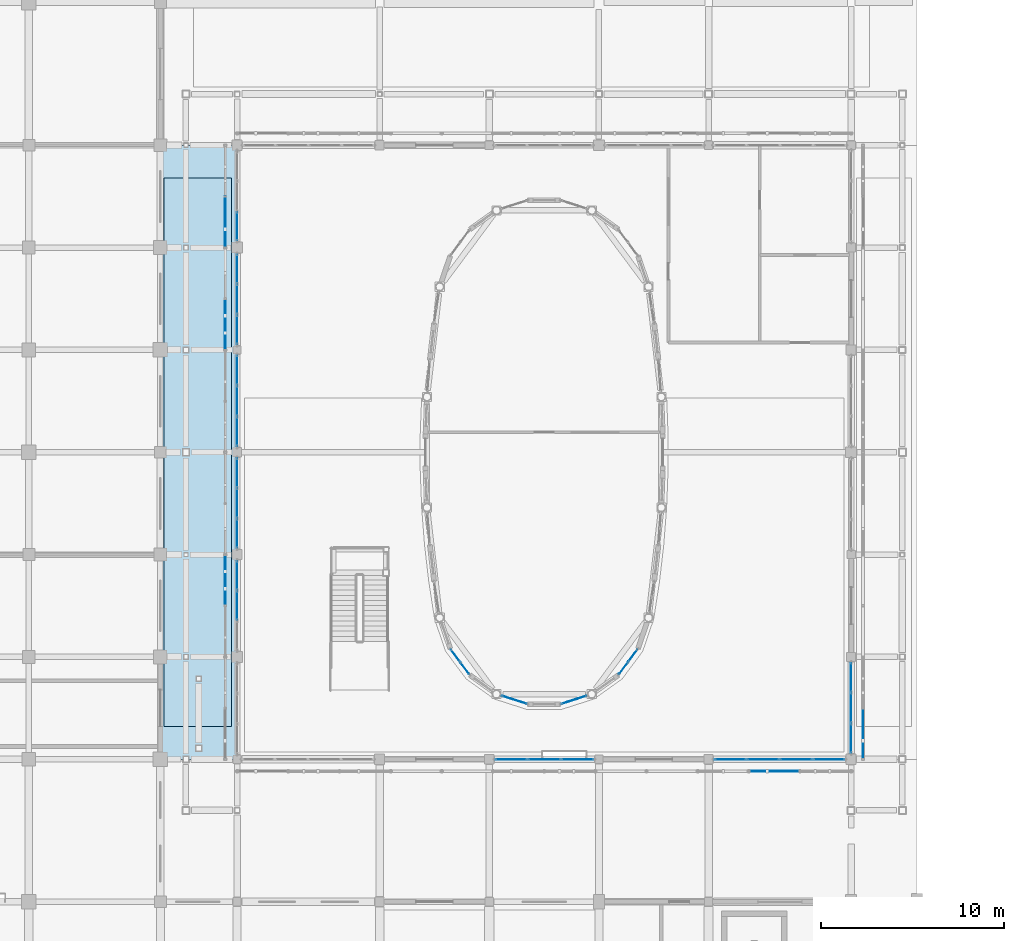
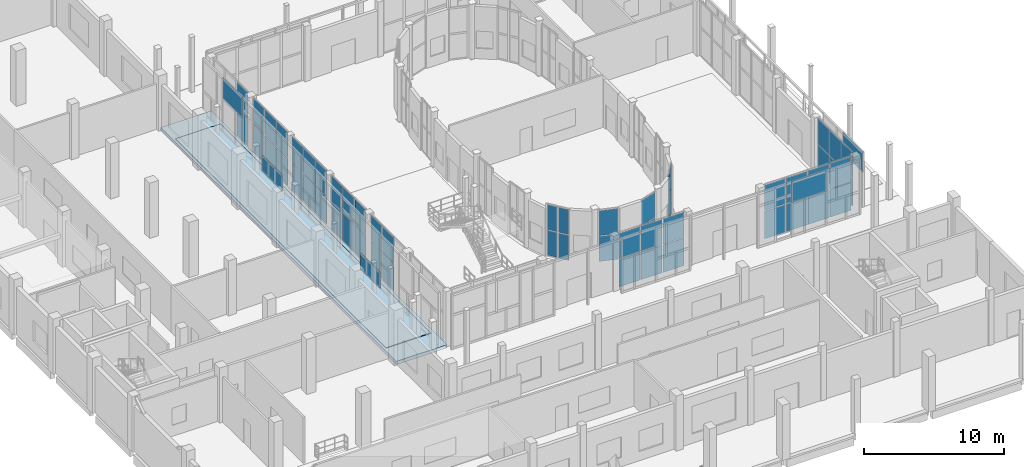
# One storey, part 55 of 91: 61 plates, 2 slabs, 12 elements without a shape of their own.
"""IFC4 building model written with IfcOpenShell, lengths in metres."""

import ifcopenshell
import ifcopenshell.guid

model = None  # the IFC model being written
_history = None  # IfcOwnerHistory: only IFC2X3 demands one
_inside = {}  # id of a spatial element -> (the spatial element, [elements in it])
_under = {}  # id of a project, library or spatial element -> (it, [spatial elements below it])
_declared = {}  # id of a project -> (the project, [libraries it declares])
_typed = {}  # id of a type object -> (the type object, [elements of that type])
_made_of = {}  # id of a material, layer set ... -> (it, [elements and type objects made of it])


def new_model(schema):
    """Start an empty IFC model of exactly this schema.

    Asked for "IFC4X3", IfcOpenShell would pick the latest addendum, in which some entities
    have other attributes; the version numbers below select the first issue.
    IFC2X3 requires an IfcOwnerHistory on every rooted entity: one is made here for all.
    """
    global model, _history
    if schema == "IFC4X3":
        model = ifcopenshell.file(schema_version=(4, 3, 0, 0))
    else:
        model = ifcopenshell.file(schema=schema)
    _inside.clear()
    _under.clear()
    _declared.clear()
    _typed.clear()
    _made_of.clear()
    _history = None
    if model.schema == "IFC2X3":
        org = make("IfcOrganization", Name="unknown")
        user = make(
            "IfcPersonAndOrganization",
            ThePerson=make("IfcPerson", FamilyName="unknown"),
            TheOrganization=org,
        )
        app = make(
            "IfcApplication",
            ApplicationDeveloper=org,
            Version="unknown",
            ApplicationFullName="unknown",
            ApplicationIdentifier="unknown",
        )
        _history = make(
            "IfcOwnerHistory",
            OwningUser=user,
            OwningApplication=app,
            ChangeAction="ADDED",
            CreationDate=0,
        )
    return model


def make(cls, **values):
    """One entity of the class cls with the attributes given. An attribute that is None is left unset."""
    return model.create_entity(
        cls, **{name: value for name, value in values.items() if value is not None}
    )


def rooted(cls, **values):
    """An entity with a GlobalId (a new one), such as an element, a storey or a relation."""
    return make(cls, GlobalId=ifcopenshell.guid.new(), OwnerHistory=_history, **values)


def si_unit(unit_type, name, prefix=None):
    """IfcSIUnit, for example si_unit("LENGTHUNIT", "METRE", prefix="MILLI")."""
    return make("IfcSIUnit", UnitType=unit_type, Prefix=prefix, Name=name)


def assignment(units):
    """IfcUnitAssignment: the units of a project."""
    return None if units is None else make("IfcUnitAssignment", Units=units)


def point(xyz):
    """IfcCartesianPoint."""
    return None if xyz is None else make("IfcCartesianPoint", Coordinates=xyz)


def direction(xyz):
    """IfcDirection."""
    return None if xyz is None else make("IfcDirection", DirectionRatios=xyz)


def frame(location, z_axis=None, x_axis=None):
    """IfcAxis2Placement3D, a coordinate frame: its origin and axes. An axis left out is left unset."""
    return make(
        "IfcAxis2Placement3D",
        Location=point(location),
        Axis=direction(z_axis),
        RefDirection=direction(x_axis),
    )


def frame_2d(location, x_axis=None):
    """IfcAxis2Placement2D, a coordinate frame in the plane: its origin and x axis."""
    return make(
        "IfcAxis2Placement2D", Location=point(location), RefDirection=direction(x_axis)
    )


def origin():
    """The frame at (0, 0, 0) with its axes left unset."""
    return frame((0.0, 0.0, 0.0))


def origin_2d():
    """The frame at (0, 0) in the plane with its x axis left unset."""
    return frame_2d((0.0, 0.0))


def place(relative_to, where):
    """IfcLocalPlacement: puts the frame where relative to a parent placement (None: the world)."""
    return make(
        "IfcLocalPlacement", PlacementRelTo=relative_to, RelativePlacement=where
    )


def context(
    kind, dimensions, precision=None, world=None, true_north=None, identifier=None
):
    """IfcGeometricRepresentationContext, for example the 3D "Model" context."""
    return make(
        "IfcGeometricRepresentationContext",
        ContextIdentifier=identifier,
        ContextType=kind,
        CoordinateSpaceDimension=dimensions,
        Precision=precision,
        WorldCoordinateSystem=world,
        TrueNorth=true_north,
    )


def subcontext(parent, identifier, kind, view, scale=None):
    """IfcGeometricRepresentationSubContext, for example "Body" below "Model"."""
    return make(
        "IfcGeometricRepresentationSubContext",
        ContextIdentifier=identifier,
        ContextType=kind,
        ParentContext=parent,
        TargetScale=scale,
        TargetView=view,
    )


def project(units=None, contexts=None):
    """IfcProject with its units and contexts."""
    return rooted(
        "IfcProject",
        Name="project",
        RepresentationContexts=contexts,
        UnitsInContext=assignment(units),
    )


def spatial(cls, under=None, at=None, **own):
    """A site, building, storey or space (cls), placed at a placement, below another one or the project."""
    s = rooted(cls, ObjectPlacement=at, **own)
    if under is not None:
        _under.setdefault(under.id(), (under, []))[1].append(s)
    return s


def polyline(points):
    """IfcPolyline through the points."""
    return make("IfcPolyline", Points=[point(p) for p in points])


def profile(cls, at=None, kind="AREA", **sizes):
    """A parametric profile (cls). Its sizes go by their IFC names, for example OverallWidth=200.0."""
    return make(cls, ProfileType=kind, Position=at, **sizes)


def rectangle(**sizes):
    """IfcRectangleProfileDef."""
    return profile("IfcRectangleProfileDef", **sizes)


def outline(outer, holes=None, kind="AREA"):
    """IfcArbitraryClosedProfileDef: a profile drawn as a closed curve; with holes, ...WithVoids."""
    if holes is None:
        return make("IfcArbitraryClosedProfileDef", ProfileType=kind, OuterCurve=outer)
    return make(
        "IfcArbitraryProfileDefWithVoids",
        ProfileType=kind,
        OuterCurve=outer,
        InnerCurves=holes,
    )


def extrude(swept, where, along, depth):
    """IfcExtrudedAreaSolid: the profile swept, set in the frame where, extruded along a direction by depth."""
    return make(
        "IfcExtrudedAreaSolid",
        SweptArea=swept,
        Position=where,
        ExtrudedDirection=direction(along),
        Depth=depth,
    )


def shape(context_of_items, identifier, shape_type, items):
    """IfcShapeRepresentation: the items that make up one representation, for example the "Body"."""
    return make(
        "IfcShapeRepresentation",
        ContextOfItems=context_of_items,
        RepresentationIdentifier=identifier,
        RepresentationType=shape_type,
        Items=items,
    )


def material(Name=None, Category=None):
    """IfcMaterial."""
    return make("IfcMaterial", Name=Name, Category=Category)


def layer(
    of_material, thickness, ventilated=None, Name=None, Category=None, Priority=None
):
    """IfcMaterialLayer: one layer of a wall or slab, of a material (None: an air gap)."""
    return make(
        "IfcMaterialLayer",
        Material=of_material,
        LayerThickness=thickness,
        IsVentilated=ventilated,
        Name=Name,
        Category=Category,
        Priority=Priority,
    )


def layer_set(layers, Name=None):
    """IfcMaterialLayerSet."""
    return make("IfcMaterialLayerSet", MaterialLayers=layers, LayerSetName=Name)


def made_of(thing, what):
    """Note that an element or type object is made of a material, layer set ...; save() writes the relation."""
    if what is not None:
        _made_of.setdefault(what.id(), (what, []))[1].append(thing)
    return thing


def type_object(cls, material=None, **own):
    """A type object (cls), such as IfcWallType, which elements share."""
    return made_of(rooted(cls, **own), material)


def element(
    cls,
    number,
    at=None,
    inside=None,
    cuts=None,
    type_object=None,
    material=None,
    context=None,
    identifier="Body",
    shape_type=None,
    held_by="IfcProductDefinitionShape",
    body=None,
    shapes=None,
    **own,
):
    """One element of the class cls, such as IfcWall. Its Tag is "e" and its number.

    at: its placement. inside: the storey or other place that contains it. cuts: it is an
    opening in that element (IfcRelVoidsElement). A single representation is given by context,
    identifier, shape_type and body (its items); several are given by shapes. held_by: the class
    of the entity that holds the representations. save() writes the other relations.
    """
    e = rooted(cls, Tag="e%d" % number, ObjectPlacement=at, **own)
    if body is not None:
        shapes = [shape(context, identifier, shape_type, body)]
    if shapes is not None:
        e.Representation = make(held_by, Representations=shapes)
    if inside is not None:
        _inside.setdefault(inside.id(), (inside, []))[1].append(e)
    if cuts is not None:
        rooted(
            "IfcRelVoidsElement", RelatingBuildingElement=cuts, RelatedOpeningElement=e
        )
    if type_object is not None:
        _typed.setdefault(type_object.id(), (type_object, []))[1].append(e)
    return made_of(e, material)


def aggregate(whole, parts):
    """IfcRelAggregates: a whole, such as a stair, and the parts it consists of."""
    return rooted("IfcRelAggregates", RelatingObject=whole, RelatedObjects=parts)


def save(model, path):
    """Write the relations noted so far, then the file.

    IfcRelAggregates (storeys below a building ...), IfcRelContainedInSpatialStructure (elements
    in a storey), IfcRelDefinesByType, IfcRelAssociatesMaterial and IfcRelDeclares: one each for
    every whole, place, type object, material and project.
    """
    for whole, parts in _under.values():
        aggregate(whole, parts)
    for where, things in _inside.values():
        rooted(
            "IfcRelContainedInSpatialStructure",
            RelatedElements=things,
            RelatingStructure=where,
        )
    for kind, things in _typed.values():
        rooted("IfcRelDefinesByType", RelatedObjects=things, RelatingType=kind)
    for what, things in _made_of.values():
        rooted("IfcRelAssociatesMaterial", RelatedObjects=things, RelatingMaterial=what)
    for by, libraries in _declared.values():
        rooted("IfcRelDeclares", RelatingContext=by, RelatedDefinitions=libraries)
    model.write(path)


model = new_model("IFC4")

# Units and contexts
model_context = context("Model", 3, precision=1e-05, world=origin(), true_north=direction((0.0, 1.0)))
body_context = subcontext(model_context, "Body", "Model", "MODEL_VIEW")
ifc_project = project(units=[si_unit("LENGTHUNIT", "METRE"), si_unit("AREAUNIT", "SQUARE_METRE"), si_unit("VOLUMEUNIT", "CUBIC_METRE"), si_unit("PLANEANGLEUNIT", "RADIAN"), si_unit("MASSUNIT", "GRAM", prefix="KILO")], contexts=[model_context])

# Site, building, storey
site_placement = place(None, origin())
site = spatial("IfcSite", under=ifc_project, at=site_placement, CompositionType="ELEMENT")
building_placement = place(site_placement, origin())
building = spatial("IfcBuilding", under=site, at=building_placement, Name="Vinh Khe Railworks Police Headquarters", CompositionType="ELEMENT")
storey_placement = place(building_placement, origin())
storey = spatial("IfcBuildingStorey", under=building, at=storey_placement, Name="L00", CompositionType="ELEMENT", Elevation=0.0)

# Curtain wall, plates
ifc_material_1 = material(Name="Anodised aluminium and acoustic laminated glass", Category="aluminium")
ifc_layer_1 = layer(ifc_material_1, 0.159912109375)
ifc_layer_set_1 = layer_set([ifc_layer_1], Name="Anodised aluminium and acoustic laminated glass")
curtain_wall_type_1 = type_object("IfcCurtainWallType", Name="CW-DRUM-CHORD", PredefinedType="USERDEFINED", material=ifc_layer_set_1)
curtain_wall_1_placement = place(storey_placement, origin())
curtain_wall_1 = element("IfcCurtainWall", 1, at=curtain_wall_1_placement, inside=storey, type_object=curtain_wall_type_1, Name="Elliptical Command Drum Glazing L00 Chord 29", ObjectType="DRUM FACADE GLAZING", PredefinedType="USERDEFINED")
ifc_material_2 = material(Name="Acoustic laminated solar-control glass", Category="glass")
ifc_layer_2 = layer(ifc_material_2, 0.031982421875)
ifc_layer_set_2 = layer_set([ifc_layer_2], Name="Acoustic laminated solar-control glass")
plate_type_1 = type_object("IfcPlateType", Name="PAN-DRUM-32", PredefinedType="CURTAIN_PANEL", material=ifc_layer_set_2)
plate_1_placement = place(storey_placement, frame((38.34326171875, 30.873291015625, 0.06494140625), z_axis=(0.0, 0.0, 1.0), x_axis=(0.596528425784, -0.802591949394, 0.0)))
plate_1 = element("IfcPlate", 2, at=plate_1_placement, type_object=plate_type_1, Name="CW-02 panel 1.1", PredefinedType="CURTAIN_PANEL", context=body_context, shape_type="SweptSolid", body=[
    extrude(rectangle(XDim=0.799560546875, YDim=0.031982421875, at=origin_2d()), origin(), (0.0, 0.0, 1.0), 2.177490234375),
])
plate_2_placement = place(storey_placement, frame((38.34326171875, 30.873291015625, 2.3076171875), z_axis=(0.0, 0.0, 1.0), x_axis=(0.596528425784, -0.802591949394, 0.0)))
plate_2 = element("IfcPlate", 3, at=plate_2_placement, type_object=plate_type_1, Name="CW-02 panel 1.2", PredefinedType="CURTAIN_PANEL", context=body_context, shape_type="SweptSolid", body=[
    extrude(rectangle(XDim=0.799560546875, YDim=0.031982421875, at=origin_2d()), origin(), (0.0, 0.0, 1.0), 2.177490234375),
])
plate_3_placement = place(storey_placement, frame((38.85888671875, 30.179443359375, 0.06494140625), z_axis=(0.0, 0.0, 1.0), x_axis=(0.596528425784, -0.802591949394, 0.0)))
plate_3 = element("IfcPlate", 4, at=plate_3_placement, type_object=plate_type_1, Name="CW-02 panel 2.1", PredefinedType="CURTAIN_PANEL", context=body_context, shape_type="SweptSolid", body=[
    extrude(rectangle(XDim=0.799560546875, YDim=0.031982421875, at=origin_2d()), origin(), (0.0, 0.0, 1.0), 2.177490234375),
])
plate_4_placement = place(storey_placement, frame((38.85888671875, 30.179443359375, 2.3076171875), z_axis=(0.0, 0.0, 1.0), x_axis=(0.596528425784, -0.802591949394, 0.0)))
plate_4 = element("IfcPlate", 5, at=plate_4_placement, type_object=plate_type_1, Name="CW-02 panel 2.2", PredefinedType="CURTAIN_PANEL", context=body_context, shape_type="SweptSolid", body=[
    extrude(rectangle(XDim=0.799560546875, YDim=0.031982421875, at=origin_2d()), origin(), (0.0, 0.0, 1.0), 2.177490234375),
])
aggregate(curtain_wall_1, [plate_1, plate_2, plate_3, plate_4])

curtain_wall_2_placement = place(storey_placement, origin())
curtain_wall_2 = element("IfcCurtainWall", 6, at=curtain_wall_2_placement, inside=storey, type_object=curtain_wall_type_1, Name="Elliptical Command Drum Glazing L00 Chord 31", ObjectType="DRUM FACADE GLAZING", PredefinedType="USERDEFINED")
plate_5_placement = place(storey_placement, frame((41.5673828125, 28.450439453125, 0.06494140625), z_axis=(0.0, 0.0, 1.0), x_axis=(0.952167689987, -0.30557599733, 0.0)))
plate_5 = element("IfcPlate", 7, at=plate_5_placement, type_object=plate_type_1, Name="CW-02 panel 1.1", PredefinedType="CURTAIN_PANEL", context=body_context, shape_type="SweptSolid", body=[
    extrude(rectangle(XDim=1.41552734375, YDim=0.031982421875, at=origin_2d()), origin(), (0.0, 0.0, 1.0), 2.177490234375),
])
plate_6_placement = place(storey_placement, frame((41.5673828125, 28.450439453125, 2.3076171875), z_axis=(0.0, 0.0, 1.0), x_axis=(0.952167689987, -0.30557599733, 0.0)))
plate_6 = element("IfcPlate", 8, at=plate_6_placement, type_object=plate_type_1, Name="CW-02 panel 1.2", PredefinedType="CURTAIN_PANEL", context=body_context, shape_type="SweptSolid", body=[
    extrude(rectangle(XDim=1.41552734375, YDim=0.031982421875, at=origin_2d()), origin(), (0.0, 0.0, 1.0), 2.177490234375),
])
aggregate(curtain_wall_2, [plate_5, plate_6])

curtain_wall_3_placement = place(storey_placement, origin())
curtain_wall_3 = element("IfcCurtainWall", 9, at=curtain_wall_3_placement, inside=storey, type_object=curtain_wall_type_1, Name="Elliptical Command Drum Glazing L00 Chord 33", ObjectType="DRUM FACADE GLAZING", PredefinedType="USERDEFINED")
plate_7_placement = place(storey_placement, frame((44.832763671875, 28.450439453125, 0.06494140625), z_axis=(0.0, 0.0, 1.0), x_axis=(0.952167689987, 0.30557599733, 0.0)))
plate_7 = element("IfcPlate", 10, at=plate_7_placement, type_object=plate_type_1, Name="CW-02 panel 1.1", PredefinedType="CURTAIN_PANEL", context=body_context, shape_type="SweptSolid", body=[
    extrude(rectangle(XDim=1.41552734375, YDim=0.031982421875, at=origin_2d()), origin(), (0.0, 0.0, 1.0), 2.177490234375),
])
plate_8_placement = place(storey_placement, frame((44.832763671875, 28.450439453125, 2.3076171875), z_axis=(0.0, 0.0, 1.0), x_axis=(0.952167689987, 0.30557599733, 0.0)))
plate_8 = element("IfcPlate", 11, at=plate_8_placement, type_object=plate_type_1, Name="CW-02 panel 1.2", PredefinedType="CURTAIN_PANEL", context=body_context, shape_type="SweptSolid", body=[
    extrude(rectangle(XDim=1.41552734375, YDim=0.031982421875, at=origin_2d()), origin(), (0.0, 0.0, 1.0), 2.177490234375),
])
aggregate(curtain_wall_3, [plate_7, plate_8])

curtain_wall_4_placement = place(storey_placement, origin())
curtain_wall_4 = element("IfcCurtainWall", 12, at=curtain_wall_4_placement, inside=storey, type_object=curtain_wall_type_1, Name="Elliptical Command Drum Glazing L00 Chord 35", ObjectType="DRUM FACADE GLAZING", PredefinedType="USERDEFINED")
plate_9_placement = place(storey_placement, frame((47.541259765625, 30.179443359375, 0.06494140625), z_axis=(0.0, 0.0, 1.0), x_axis=(0.596528425784, 0.802591949394, 0.0)))
plate_9 = element("IfcPlate", 13, at=plate_9_placement, type_object=plate_type_1, Name="CW-02 panel 1.1", PredefinedType="CURTAIN_PANEL", context=body_context, shape_type="SweptSolid", body=[
    extrude(rectangle(XDim=0.799560546875, YDim=0.031982421875, at=origin_2d()), origin(), (0.0, 0.0, 1.0), 2.177490234375),
])
plate_10_placement = place(storey_placement, frame((47.541259765625, 30.179443359375, 2.3076171875), z_axis=(0.0, 0.0, 1.0), x_axis=(0.596528425784, 0.802591949394, 0.0)))
plate_10 = element("IfcPlate", 14, at=plate_10_placement, type_object=plate_type_1, Name="CW-02 panel 1.2", PredefinedType="CURTAIN_PANEL", context=body_context, shape_type="SweptSolid", body=[
    extrude(rectangle(XDim=0.799560546875, YDim=0.031982421875, at=origin_2d()), origin(), (0.0, 0.0, 1.0), 2.177490234375),
])
plate_11_placement = place(storey_placement, frame((48.056884765625, 30.873291015625, 0.06494140625), z_axis=(0.0, 0.0, 1.0), x_axis=(0.596528425784, 0.802591949394, 0.0)))
plate_11 = element("IfcPlate", 15, at=plate_11_placement, type_object=plate_type_1, Name="CW-02 panel 2.1", PredefinedType="CURTAIN_PANEL", context=body_context, shape_type="SweptSolid", body=[
    extrude(rectangle(XDim=0.799560546875, YDim=0.031982421875, at=origin_2d()), origin(), (0.0, 0.0, 1.0), 2.177490234375),
])
plate_12_placement = place(storey_placement, frame((48.056884765625, 30.873291015625, 2.3076171875), z_axis=(0.0, 0.0, 1.0), x_axis=(0.596528425784, 0.802591949394, 0.0)))
plate_12 = element("IfcPlate", 16, at=plate_12_placement, type_object=plate_type_1, Name="CW-02 panel 2.2", PredefinedType="CURTAIN_PANEL", context=body_context, shape_type="SweptSolid", body=[
    extrude(rectangle(XDim=0.799560546875, YDim=0.031982421875, at=origin_2d()), origin(), (0.0, 0.0, 1.0), 2.177490234375),
])
aggregate(curtain_wall_4, [plate_9, plate_10, plate_11, plate_12])

ifc_material_3 = material(Name="Anodised aluminium and low-iron glass", Category="aluminium")
ifc_layer_3 = layer(ifc_material_3, 0.179931640625)
ifc_layer_set_3 = layer_set([ifc_layer_3], Name="Anodised aluminium and low-iron glass")
curtain_wall_type_2 = type_object("IfcCurtainWallType", Name="CW-CUBE-UNIT", PredefinedType="USERDEFINED", material=ifc_layer_set_3)
curtain_wall_5_placement = place(storey_placement, origin())
curtain_wall_5 = element("IfcCurtainWall", 17, at=curtain_wall_5_placement, inside=storey, type_object=curtain_wall_type_2, Name="Entrance Hall Curtain Wall L00 S-3", ObjectType="UNITISED GLAZING", PredefinedType="USERDEFINED")
ifc_material_4 = material(Name="Low-iron laminated solar-control glass", Category="glass")
ifc_layer_4 = layer(ifc_material_4, 0.028076171875)
ifc_layer_set_4 = layer_set([ifc_layer_4], Name="Low-iron laminated solar-control glass")
plate_type_2 = type_object("IfcPlateType", Name="PAN-GLZ-28", PredefinedType="CURTAIN_PANEL", material=ifc_layer_set_4)
plate_13_placement = place(storey_placement, frame((41.401611328125, 25.199951171875, 0.06982421875), z_axis=(0.0, 0.0, 1.0), x_axis=(1.0, 0.0, 0.0)))
plate_13 = element("IfcPlate", 18, at=plate_13_placement, type_object=plate_type_2, Name="CW-01 panel 1.1", PredefinedType="CURTAIN_PANEL", context=body_context, shape_type="SweptSolid", body=[
    extrude(rectangle(XDim=1.723388671875, YDim=0.028076171875, at=origin_2d()), origin(), (0.0, 0.0, 1.0), 2.39111328125),
])
plate_14_placement = place(storey_placement, frame((41.401611328125, 25.199951171875, 2.53125), z_axis=(0.0, 0.0, 1.0), x_axis=(1.0, 0.0, 0.0)))
plate_14 = element("IfcPlate", 19, at=plate_14_placement, type_object=plate_type_2, Name="CW-01 panel 1.2", PredefinedType="CURTAIN_PANEL", context=body_context, shape_type="SweptSolid", body=[
    extrude(rectangle(XDim=1.723388671875, YDim=0.028076171875, at=origin_2d()), origin(), (0.0, 0.0, 1.0), 2.198974609375),
])
plate_15_placement = place(storey_placement, frame((43.21240234375, 25.199951171875, 0.06982421875), z_axis=(0.0, 0.0, 1.0), x_axis=(1.0, 0.0, 0.0)))
plate_15 = element("IfcPlate", 20, at=plate_15_placement, type_object=plate_type_2, Name="CW-01 panel 2.1", PredefinedType="CURTAIN_PANEL", context=body_context, shape_type="SweptSolid", body=[
    extrude(rectangle(XDim=1.75830078125, YDim=0.028076171875, at=origin_2d()), origin(), (0.0, 0.0, 1.0), 2.39111328125),
])
plate_16_placement = place(storey_placement, frame((43.21240234375, 25.199951171875, 2.53125), z_axis=(0.0, 0.0, 1.0), x_axis=(1.0, 0.0, 0.0)))
plate_16 = element("IfcPlate", 21, at=plate_16_placement, type_object=plate_type_2, Name="CW-01 panel 2.2", PredefinedType="CURTAIN_PANEL", context=body_context, shape_type="SweptSolid", body=[
    extrude(rectangle(XDim=1.75830078125, YDim=0.028076171875, at=origin_2d()), origin(), (0.0, 0.0, 1.0), 2.198974609375),
])
plate_17_placement = place(storey_placement, frame((45.0234375, 25.199951171875, 0.06982421875), z_axis=(0.0, 0.0, 1.0), x_axis=(1.0, 0.0, 0.0)))
plate_17 = element("IfcPlate", 22, at=plate_17_placement, type_object=plate_type_2, Name="CW-01 panel 3.1", PredefinedType="CURTAIN_PANEL", context=body_context, shape_type="SweptSolid", body=[
    extrude(rectangle(XDim=1.723388671875, YDim=0.028076171875, at=origin_2d()), origin(), (0.0, 0.0, 1.0), 2.39111328125),
])
plate_18_placement = place(storey_placement, frame((45.0234375, 25.199951171875, 2.53125), z_axis=(0.0, 0.0, 1.0), x_axis=(1.0, 0.0, 0.0)))
plate_18 = element("IfcPlate", 23, at=plate_18_placement, type_object=plate_type_2, Name="CW-01 panel 3.2", PredefinedType="CURTAIN_PANEL", context=body_context, shape_type="SweptSolid", body=[
    extrude(rectangle(XDim=1.723388671875, YDim=0.028076171875, at=origin_2d()), origin(), (0.0, 0.0, 1.0), 2.198974609375),
])
aggregate(curtain_wall_5, [plate_13, plate_14, plate_15, plate_16, plate_17, plate_18])

curtain_wall_6_placement = place(storey_placement, origin())
curtain_wall_6 = element("IfcCurtainWall", 24, at=curtain_wall_6_placement, inside=storey, type_object=curtain_wall_type_2, Name="Entrance Hall Curtain Wall L00 S-5", ObjectType="UNITISED GLAZING", PredefinedType="USERDEFINED")
plate_19_placement = place(storey_placement, frame((53.391845703125, 25.199951171875, 0.06982421875), z_axis=(0.0, 0.0, 1.0), x_axis=(1.0, 0.0, 0.0)))
plate_19 = element("IfcPlate", 25, at=plate_19_placement, type_object=plate_type_2, Name="CW-01 panel 1.1", PredefinedType="CURTAIN_PANEL", context=body_context, shape_type="SweptSolid", body=[
    extrude(rectangle(XDim=1.703857421875, YDim=0.028076171875, at=origin_2d()), origin(), (0.0, 0.0, 1.0), 2.39111328125),
])
plate_20_placement = place(storey_placement, frame((53.391845703125, 25.199951171875, 2.53125), z_axis=(0.0, 0.0, 1.0), x_axis=(1.0, 0.0, 0.0)))
plate_20 = element("IfcPlate", 26, at=plate_20_placement, type_object=plate_type_2, Name="CW-01 panel 1.2", PredefinedType="CURTAIN_PANEL", context=body_context, shape_type="SweptSolid", body=[
    extrude(rectangle(XDim=1.703857421875, YDim=0.028076171875, at=origin_2d()), origin(), (0.0, 0.0, 1.0), 2.198974609375),
])
plate_21_placement = place(storey_placement, frame((55.18310546875, 25.199951171875, 0.06982421875), z_axis=(0.0, 0.0, 1.0), x_axis=(1.0, 0.0, 0.0)))
plate_21 = element("IfcPlate", 27, at=plate_21_placement, type_object=plate_type_2, Name="CW-01 panel 2.1", PredefinedType="CURTAIN_PANEL", context=body_context, shape_type="SweptSolid", body=[
    extrude(rectangle(XDim=1.73876953125, YDim=0.028076171875, at=origin_2d()), origin(), (0.0, 0.0, 1.0), 2.39111328125),
])
plate_22_placement = place(storey_placement, frame((55.18310546875, 25.199951171875, 2.53125), z_axis=(0.0, 0.0, 1.0), x_axis=(1.0, 0.0, 0.0)))
plate_22 = element("IfcPlate", 28, at=plate_22_placement, type_object=plate_type_2, Name="CW-01 panel 2.2", PredefinedType="CURTAIN_PANEL", context=body_context, shape_type="SweptSolid", body=[
    extrude(rectangle(XDim=1.73876953125, YDim=0.028076171875, at=origin_2d()), origin(), (0.0, 0.0, 1.0), 2.198974609375),
])
plate_23_placement = place(storey_placement, frame((56.991943359375, 25.199951171875, 0.06982421875), z_axis=(0.0, 0.0, 1.0), x_axis=(1.0, 0.0, 0.0)))
plate_23 = element("IfcPlate", 29, at=plate_23_placement, type_object=plate_type_2, Name="CW-01 panel 3.1", PredefinedType="CURTAIN_PANEL", context=body_context, shape_type="SweptSolid", body=[
    extrude(rectangle(XDim=1.73876953125, YDim=0.028076171875, at=origin_2d()), origin(), (0.0, 0.0, 1.0), 2.39111328125),
])
plate_24_placement = place(storey_placement, frame((56.991943359375, 25.199951171875, 2.53125), z_axis=(0.0, 0.0, 1.0), x_axis=(1.0, 0.0, 0.0)))
plate_24 = element("IfcPlate", 30, at=plate_24_placement, type_object=plate_type_2, Name="CW-01 panel 3.2", PredefinedType="CURTAIN_PANEL", context=body_context, shape_type="SweptSolid", body=[
    extrude(rectangle(XDim=1.73876953125, YDim=0.028076171875, at=origin_2d()), origin(), (0.0, 0.0, 1.0), 2.198974609375),
])
plate_25_placement = place(storey_placement, frame((58.783203125, 25.199951171875, 0.06982421875), z_axis=(0.0, 0.0, 1.0), x_axis=(1.0, 0.0, 0.0)))
plate_25 = element("IfcPlate", 31, at=plate_25_placement, type_object=plate_type_2, Name="CW-01 panel 4.1", PredefinedType="CURTAIN_PANEL", context=body_context, shape_type="SweptSolid", body=[
    extrude(rectangle(XDim=1.703857421875, YDim=0.028076171875, at=origin_2d()), origin(), (0.0, 0.0, 1.0), 2.39111328125),
])
plate_26_placement = place(storey_placement, frame((58.783203125, 25.199951171875, 2.53125), z_axis=(0.0, 0.0, 1.0), x_axis=(1.0, 0.0, 0.0)))
plate_26 = element("IfcPlate", 32, at=plate_26_placement, type_object=plate_type_2, Name="CW-01 panel 4.2", PredefinedType="CURTAIN_PANEL", context=body_context, shape_type="SweptSolid", body=[
    extrude(rectangle(XDim=1.703857421875, YDim=0.028076171875, at=origin_2d()), origin(), (0.0, 0.0, 1.0), 2.198974609375),
])
aggregate(curtain_wall_6, [plate_19, plate_20, plate_21, plate_22, plate_23, plate_24, plate_25, plate_26])

curtain_wall_7_placement = place(storey_placement, origin())
curtain_wall_7 = element("IfcCurtainWall", 33, at=curtain_wall_7_placement, inside=storey, type_object=curtain_wall_type_2, Name="Entrance Hall Curtain Wall L00 E-1", ObjectType="UNITISED GLAZING", PredefinedType="USERDEFINED")
plate_27_placement = place(storey_placement, frame((60.0, 26.3515625, 0.06982421875), z_axis=(0.0, 0.0, 1.0), x_axis=(0.0, 1.0, 0.0)))
plate_27 = element("IfcPlate", 34, at=plate_27_placement, type_object=plate_type_2, Name="CW-01 panel 1.1", PredefinedType="CURTAIN_PANEL", context=body_context, shape_type="SweptSolid", body=[
    extrude(rectangle(XDim=1.5732421875, YDim=0.028076171875, at=origin_2d()), origin(), (0.0, 0.0, 1.0), 2.39111328125),
])
plate_28_placement = place(storey_placement, frame((60.0, 26.3515625, 2.53125), z_axis=(0.0, 0.0, 1.0), x_axis=(0.0, 1.0, 0.0)))
plate_28 = element("IfcPlate", 35, at=plate_28_placement, type_object=plate_type_2, Name="CW-01 panel 1.2", PredefinedType="CURTAIN_PANEL", context=body_context, shape_type="SweptSolid", body=[
    extrude(rectangle(XDim=1.5732421875, YDim=0.028076171875, at=origin_2d()), origin(), (0.0, 0.0, 1.0), 2.198974609375),
])
plate_29_placement = place(storey_placement, frame((60.0, 28.012451171875, 0.06982421875), z_axis=(0.0, 0.0, 1.0), x_axis=(0.0, 1.0, 0.0)))
plate_29 = element("IfcPlate", 36, at=plate_29_placement, type_object=plate_type_2, Name="CW-01 panel 2.1", PredefinedType="CURTAIN_PANEL", context=body_context, shape_type="SweptSolid", body=[
    extrude(rectangle(XDim=1.6083984375, YDim=0.028076171875, at=origin_2d()), origin(), (0.0, 0.0, 1.0), 2.39111328125),
])
plate_30_placement = place(storey_placement, frame((60.0, 28.012451171875, 2.53125), z_axis=(0.0, 0.0, 1.0), x_axis=(0.0, 1.0, 0.0)))
plate_30 = element("IfcPlate", 37, at=plate_30_placement, type_object=plate_type_2, Name="CW-01 panel 2.2", PredefinedType="CURTAIN_PANEL", context=body_context, shape_type="SweptSolid", body=[
    extrude(rectangle(XDim=1.6083984375, YDim=0.028076171875, at=origin_2d()), origin(), (0.0, 0.0, 1.0), 2.198974609375),
])
plate_31_placement = place(storey_placement, frame((60.0, 29.67333984375, 0.06982421875), z_axis=(0.0, 0.0, 1.0), x_axis=(0.0, 1.0, 0.0)))
plate_31 = element("IfcPlate", 38, at=plate_31_placement, type_object=plate_type_2, Name="CW-01 panel 3.1", PredefinedType="CURTAIN_PANEL", context=body_context, shape_type="SweptSolid", body=[
    extrude(rectangle(XDim=1.5732421875, YDim=0.028076171875, at=origin_2d()), origin(), (0.0, 0.0, 1.0), 2.39111328125),
])
plate_32_placement = place(storey_placement, frame((60.0, 29.67333984375, 2.53125), z_axis=(0.0, 0.0, 1.0), x_axis=(0.0, 1.0, 0.0)))
plate_32 = element("IfcPlate", 39, at=plate_32_placement, type_object=plate_type_2, Name="CW-01 panel 3.2", PredefinedType="CURTAIN_PANEL", context=body_context, shape_type="SweptSolid", body=[
    extrude(rectangle(XDim=1.5732421875, YDim=0.028076171875, at=origin_2d()), origin(), (0.0, 0.0, 1.0), 2.198974609375),
])
aggregate(curtain_wall_7, [plate_27, plate_28, plate_29, plate_30, plate_31, plate_32])

curtain_wall_8_placement = place(storey_placement, origin())
curtain_wall_8 = element("IfcCurtainWall", 40, at=curtain_wall_8_placement, inside=storey, type_object=curtain_wall_type_2, Name="Entrance Hall Curtain Wall L00 W-2", ObjectType="UNITISED GLAZING", PredefinedType="USERDEFINED")
plate_33_placement = place(storey_placement, frame((26.39990234375, 33.612548828125, 0.06982421875), z_axis=(0.0, 0.0, 1.0), x_axis=(0.0, 1.0, 0.0)))
plate_33 = element("IfcPlate", 41, at=plate_33_placement, type_object=plate_type_2, Name="CW-01 panel 2.1", PredefinedType="CURTAIN_PANEL", context=body_context, shape_type="SweptSolid", body=[
    extrude(rectangle(XDim=1.591552734375, YDim=0.028076171875, at=origin_2d()), origin(), (0.0, 0.0, 1.0), 2.39111328125),
])
plate_34_placement = place(storey_placement, frame((26.39990234375, 33.612548828125, 2.53125), z_axis=(0.0, 0.0, 1.0), x_axis=(0.0, 1.0, 0.0)))
plate_34 = element("IfcPlate", 42, at=plate_34_placement, type_object=plate_type_2, Name="CW-01 panel 2.2", PredefinedType="CURTAIN_PANEL", context=body_context, shape_type="SweptSolid", body=[
    extrude(rectangle(XDim=1.591552734375, YDim=0.028076171875, at=origin_2d()), origin(), (0.0, 0.0, 1.0), 2.198974609375),
])
plate_35_placement = place(storey_placement, frame((26.39990234375, 35.256591796875, 0.06982421875), z_axis=(0.0, 0.0, 1.0), x_axis=(0.0, 1.0, 0.0)))
plate_35 = element("IfcPlate", 43, at=plate_35_placement, type_object=plate_type_2, Name="CW-01 panel 3.1", PredefinedType="CURTAIN_PANEL", context=body_context, shape_type="SweptSolid", body=[
    extrude(rectangle(XDim=1.556640625, YDim=0.028076171875, at=origin_2d()), origin(), (0.0, 0.0, 1.0), 2.39111328125),
])
plate_36_placement = place(storey_placement, frame((26.39990234375, 35.256591796875, 2.53125), z_axis=(0.0, 0.0, 1.0), x_axis=(0.0, 1.0, 0.0)))
plate_36 = element("IfcPlate", 44, at=plate_36_placement, type_object=plate_type_2, Name="CW-01 panel 3.2", PredefinedType="CURTAIN_PANEL", context=body_context, shape_type="SweptSolid", body=[
    extrude(rectangle(XDim=1.556640625, YDim=0.028076171875, at=origin_2d()), origin(), (0.0, 0.0, 1.0), 2.198974609375),
])
aggregate(curtain_wall_8, [plate_33, plate_34, plate_35, plate_36])

curtain_wall_9_placement = place(storey_placement, origin())
curtain_wall_9 = element("IfcCurtainWall", 45, at=curtain_wall_9_placement, inside=storey, type_object=curtain_wall_type_2, Name="Entrance Hall Curtain Wall L00 W-3", ObjectType="UNITISED GLAZING", PredefinedType="USERDEFINED")
plate_37_placement = place(storey_placement, frame((26.39990234375, 37.5517578125, 0.06982421875), z_axis=(0.0, 0.0, 1.0), x_axis=(0.0, 1.0, 0.0)))
plate_37 = element("IfcPlate", 46, at=plate_37_placement, type_object=plate_type_2, Name="CW-01 panel 1.1", PredefinedType="CURTAIN_PANEL", context=body_context, shape_type="SweptSolid", body=[
    extrude(rectangle(XDim=1.5732421875, YDim=0.028076171875, at=origin_2d()), origin(), (0.0, 0.0, 1.0), 2.39111328125),
])
plate_38_placement = place(storey_placement, frame((26.39990234375, 37.5517578125, 2.53125), z_axis=(0.0, 0.0, 1.0), x_axis=(0.0, 1.0, 0.0)))
plate_38 = element("IfcPlate", 47, at=plate_38_placement, type_object=plate_type_2, Name="CW-01 panel 1.2", PredefinedType="CURTAIN_PANEL", context=body_context, shape_type="SweptSolid", body=[
    extrude(rectangle(XDim=1.5732421875, YDim=0.028076171875, at=origin_2d()), origin(), (0.0, 0.0, 1.0), 2.198974609375),
])
plate_39_placement = place(storey_placement, frame((26.39990234375, 39.21240234375, 0.06982421875), z_axis=(0.0, 0.0, 1.0), x_axis=(0.0, 1.0, 0.0)))
plate_39 = element("IfcPlate", 48, at=plate_39_placement, type_object=plate_type_2, Name="CW-01 panel 2.1", PredefinedType="CURTAIN_PANEL", context=body_context, shape_type="SweptSolid", body=[
    extrude(rectangle(XDim=1.6083984375, YDim=0.028076171875, at=origin_2d()), origin(), (0.0, 0.0, 1.0), 2.39111328125),
])
plate_40_placement = place(storey_placement, frame((26.39990234375, 39.21240234375, 2.53125), z_axis=(0.0, 0.0, 1.0), x_axis=(0.0, 1.0, 0.0)))
plate_40 = element("IfcPlate", 49, at=plate_40_placement, type_object=plate_type_2, Name="CW-01 panel 2.2", PredefinedType="CURTAIN_PANEL", context=body_context, shape_type="SweptSolid", body=[
    extrude(rectangle(XDim=1.6083984375, YDim=0.028076171875, at=origin_2d()), origin(), (0.0, 0.0, 1.0), 2.198974609375),
])
plate_41_placement = place(storey_placement, frame((26.39990234375, 40.873291015625, 0.06982421875), z_axis=(0.0, 0.0, 1.0), x_axis=(0.0, 1.0, 0.0)))
plate_41 = element("IfcPlate", 50, at=plate_41_placement, type_object=plate_type_2, Name="CW-01 panel 3.1", PredefinedType="CURTAIN_PANEL", context=body_context, shape_type="SweptSolid", body=[
    extrude(rectangle(XDim=1.5732421875, YDim=0.028076171875, at=origin_2d()), origin(), (0.0, 0.0, 1.0), 2.39111328125),
])
plate_42_placement = place(storey_placement, frame((26.39990234375, 40.873291015625, 2.53125), z_axis=(0.0, 0.0, 1.0), x_axis=(0.0, 1.0, 0.0)))
plate_42 = element("IfcPlate", 51, at=plate_42_placement, type_object=plate_type_2, Name="CW-01 panel 3.2", PredefinedType="CURTAIN_PANEL", context=body_context, shape_type="SweptSolid", body=[
    extrude(rectangle(XDim=1.5732421875, YDim=0.028076171875, at=origin_2d()), origin(), (0.0, 0.0, 1.0), 2.198974609375),
])
aggregate(curtain_wall_9, [plate_37, plate_38, plate_39, plate_40, plate_41, plate_42])

curtain_wall_10_placement = place(storey_placement, origin())
curtain_wall_10 = element("IfcCurtainWall", 52, at=curtain_wall_10_placement, inside=storey, type_object=curtain_wall_type_2, Name="Entrance Hall Curtain Wall L00 W-4", ObjectType="UNITISED GLAZING", PredefinedType="USERDEFINED")
plate_43_placement = place(storey_placement, frame((26.39990234375, 43.135009765625, 0.06982421875), z_axis=(0.0, 0.0, 1.0), x_axis=(0.0, 1.0, 0.0)))
plate_43 = element("IfcPlate", 53, at=plate_43_placement, type_object=plate_type_2, Name="CW-01 panel 1.1", PredefinedType="CURTAIN_PANEL", context=body_context, shape_type="SweptSolid", body=[
    extrude(rectangle(XDim=1.590087890625, YDim=0.028076171875, at=origin_2d()), origin(), (0.0, 0.0, 1.0), 2.39111328125),
])
plate_44_placement = place(storey_placement, frame((26.39990234375, 43.135009765625, 2.53125), z_axis=(0.0, 0.0, 1.0), x_axis=(0.0, 1.0, 0.0)))
plate_44 = element("IfcPlate", 54, at=plate_44_placement, type_object=plate_type_2, Name="CW-01 panel 1.2", PredefinedType="CURTAIN_PANEL", context=body_context, shape_type="SweptSolid", body=[
    extrude(rectangle(XDim=1.590087890625, YDim=0.028076171875, at=origin_2d()), origin(), (0.0, 0.0, 1.0), 2.198974609375),
])
plate_45_placement = place(storey_placement, frame((26.39990234375, 44.8125, 0.06982421875), z_axis=(0.0, 0.0, 1.0), x_axis=(0.0, 1.0, 0.0)))
plate_45 = element("IfcPlate", 55, at=plate_45_placement, type_object=plate_type_2, Name="CW-01 panel 2.1", PredefinedType="CURTAIN_PANEL", context=body_context, shape_type="SweptSolid", body=[
    extrude(rectangle(XDim=1.625, YDim=0.028076171875, at=origin_2d()), origin(), (0.0, 0.0, 1.0), 2.39111328125),
])
plate_46_placement = place(storey_placement, frame((26.39990234375, 44.8125, 2.53125), z_axis=(0.0, 0.0, 1.0), x_axis=(0.0, 1.0, 0.0)))
plate_46 = element("IfcPlate", 56, at=plate_46_placement, type_object=plate_type_2, Name="CW-01 panel 2.2", PredefinedType="CURTAIN_PANEL", context=body_context, shape_type="SweptSolid", body=[
    extrude(rectangle(XDim=1.625, YDim=0.028076171875, at=origin_2d()), origin(), (0.0, 0.0, 1.0), 2.198974609375),
])
plate_47_placement = place(storey_placement, frame((26.39990234375, 46.489990234375, 0.06982421875), z_axis=(0.0, 0.0, 1.0), x_axis=(0.0, 1.0, 0.0)))
plate_47 = element("IfcPlate", 57, at=plate_47_placement, type_object=plate_type_2, Name="CW-01 panel 3.1", PredefinedType="CURTAIN_PANEL", context=body_context, shape_type="SweptSolid", body=[
    extrude(rectangle(XDim=1.590087890625, YDim=0.028076171875, at=origin_2d()), origin(), (0.0, 0.0, 1.0), 2.39111328125),
])
plate_48_placement = place(storey_placement, frame((26.39990234375, 46.489990234375, 2.53125), z_axis=(0.0, 0.0, 1.0), x_axis=(0.0, 1.0, 0.0)))
plate_48 = element("IfcPlate", 58, at=plate_48_placement, type_object=plate_type_2, Name="CW-01 panel 3.2", PredefinedType="CURTAIN_PANEL", context=body_context, shape_type="SweptSolid", body=[
    extrude(rectangle(XDim=1.590087890625, YDim=0.028076171875, at=origin_2d()), origin(), (0.0, 0.0, 1.0), 2.198974609375),
])
aggregate(curtain_wall_10, [plate_43, plate_44, plate_45, plate_46, plate_47, plate_48])

curtain_wall_11_placement = place(storey_placement, origin())
curtain_wall_11 = element("IfcCurtainWall", 59, at=curtain_wall_11_placement, inside=storey, type_object=curtain_wall_type_2, Name="Entrance Hall Curtain Wall L00 W-5", ObjectType="UNITISED GLAZING", PredefinedType="USERDEFINED")
plate_49_placement = place(storey_placement, frame((26.39990234375, 48.70166015625, 0.06982421875), z_axis=(0.0, 0.0, 1.0), x_axis=(0.0, 1.0, 0.0)))
plate_49 = element("IfcPlate", 60, at=plate_49_placement, type_object=plate_type_2, Name="CW-01 panel 1.1", PredefinedType="CURTAIN_PANEL", context=body_context, shape_type="SweptSolid", body=[
    extrude(rectangle(XDim=1.5732421875, YDim=0.028076171875, at=origin_2d()), origin(), (0.0, 0.0, 1.0), 2.39111328125),
])
plate_50_placement = place(storey_placement, frame((26.39990234375, 48.70166015625, 2.53125), z_axis=(0.0, 0.0, 1.0), x_axis=(0.0, 1.0, 0.0)))
plate_50 = element("IfcPlate", 61, at=plate_50_placement, type_object=plate_type_2, Name="CW-01 panel 1.2", PredefinedType="CURTAIN_PANEL", context=body_context, shape_type="SweptSolid", body=[
    extrude(rectangle(XDim=1.5732421875, YDim=0.028076171875, at=origin_2d()), origin(), (0.0, 0.0, 1.0), 2.198974609375),
])
plate_51_placement = place(storey_placement, frame((26.39990234375, 50.362548828125, 0.06982421875), z_axis=(0.0, 0.0, 1.0), x_axis=(0.0, 1.0, 0.0)))
plate_51 = element("IfcPlate", 62, at=plate_51_placement, type_object=plate_type_2, Name="CW-01 panel 2.1", PredefinedType="CURTAIN_PANEL", context=body_context, shape_type="SweptSolid", body=[
    extrude(rectangle(XDim=1.6083984375, YDim=0.028076171875, at=origin_2d()), origin(), (0.0, 0.0, 1.0), 2.39111328125),
])
plate_52_placement = place(storey_placement, frame((26.39990234375, 50.362548828125, 2.53125), z_axis=(0.0, 0.0, 1.0), x_axis=(0.0, 1.0, 0.0)))
plate_52 = element("IfcPlate", 63, at=plate_52_placement, type_object=plate_type_2, Name="CW-01 panel 2.2", PredefinedType="CURTAIN_PANEL", context=body_context, shape_type="SweptSolid", body=[
    extrude(rectangle(XDim=1.6083984375, YDim=0.028076171875, at=origin_2d()), origin(), (0.0, 0.0, 1.0), 2.198974609375),
])
plate_53_placement = place(storey_placement, frame((26.39990234375, 52.0234375, 0.06982421875), z_axis=(0.0, 0.0, 1.0), x_axis=(0.0, 1.0, 0.0)))
plate_53 = element("IfcPlate", 64, at=plate_53_placement, type_object=plate_type_2, Name="CW-01 panel 3.1", PredefinedType="CURTAIN_PANEL", context=body_context, shape_type="SweptSolid", body=[
    extrude(rectangle(XDim=1.5732421875, YDim=0.028076171875, at=origin_2d()), origin(), (0.0, 0.0, 1.0), 2.39111328125),
])
plate_54_placement = place(storey_placement, frame((26.39990234375, 52.0234375, 2.53125), z_axis=(0.0, 0.0, 1.0), x_axis=(0.0, 1.0, 0.0)))
plate_54 = element("IfcPlate", 65, at=plate_54_placement, type_object=plate_type_2, Name="CW-01 panel 3.2", PredefinedType="CURTAIN_PANEL", context=body_context, shape_type="SweptSolid", body=[
    extrude(rectangle(XDim=1.5732421875, YDim=0.028076171875, at=origin_2d()), origin(), (0.0, 0.0, 1.0), 2.198974609375),
])
aggregate(curtain_wall_11, [plate_49, plate_50, plate_51, plate_52, plate_53, plate_54])

curtain_wall_12_placement = place(storey_placement, origin())
curtain_wall_12 = element("IfcCurtainWall", 66, at=curtain_wall_12_placement, inside=storey, type_object=curtain_wall_type_2, Name="Entrance Hall Curtain Wall L00 W-6", ObjectType="UNITISED GLAZING", PredefinedType="USERDEFINED")
plate_55_placement = place(storey_placement, frame((26.39990234375, 54.368408203125, 0.06982421875), z_axis=(0.0, 0.0, 1.0), x_axis=(0.0, 1.0, 0.0)))
plate_55 = element("IfcPlate", 67, at=plate_55_placement, type_object=plate_type_2, Name="CW-01 panel 1.1", PredefinedType="CURTAIN_PANEL", context=body_context, shape_type="SweptSolid", body=[
    extrude(rectangle(XDim=1.556640625, YDim=0.028076171875, at=origin_2d()), origin(), (0.0, 0.0, 1.0), 2.39111328125),
])
plate_56_placement = place(storey_placement, frame((26.39990234375, 54.368408203125, 2.53125), z_axis=(0.0, 0.0, 1.0), x_axis=(0.0, 1.0, 0.0)))
plate_56 = element("IfcPlate", 68, at=plate_56_placement, type_object=plate_type_2, Name="CW-01 panel 1.2", PredefinedType="CURTAIN_PANEL", context=body_context, shape_type="SweptSolid", body=[
    extrude(rectangle(XDim=1.556640625, YDim=0.028076171875, at=origin_2d()), origin(), (0.0, 0.0, 1.0), 2.198974609375),
])
aggregate(curtain_wall_12, [plate_55, plate_56])

# Plates
ifc_material_5 = material(Name="Weathered architectural steel", Category="steel")
ifc_layer_5 = layer(ifc_material_5, 0.044921875)
ifc_layer_set_5 = layer_set([ifc_layer_5], Name="Weathered architectural steel")
plate_type_3 = type_object("IfcPlateType", Name="PLT-QP-02", PredefinedType="SHEET", material=ifc_layer_set_5)
for number, where, z_axis, x_axis, name in (
    (69, (55.800048828125, 24.550048828125, 2.97607421875), (0.0, 0.0, 1.0), (1.0, 0.0, 0.0), "Weathered Steel Casement Spandrel S-11"),
    (70, (60.64990234375, 26.60009765625, 2.97607421875), (0.0, 0.0, 1.0), (0.0, 1.0, 0.0), "Weathered Steel Casement Spandrel E-1"),
    (71, (25.75, 54.60009765625, 2.97607421875), (0.0, 0.0, 1.0), (0.0, 1.0, 0.0), "Weathered Steel Casement Spandrel W-11"),
):
    element("IfcPlate", number, at=place(storey_placement, frame(where, z_axis=z_axis, x_axis=x_axis)), inside=storey, type_object=plate_type_3, Name=name, PredefinedType="SHEET", context=body_context, shape_type="SweptSolid", body=[
        extrude(rectangle(XDim=2.800048828125, YDim=0.044921875, at=origin_2d()), origin(), (0.0, 0.0, 1.0), 1.823974609375),
    ])
ifc_material_6 = material(Name="Salvaged ironwood timber", Category="wood")
ifc_layer_6 = layer(ifc_material_6, 0.050048828125)
ifc_layer_set_6 = layer_set([ifc_layer_6], Name="Salvaged ironwood timber")
plate_type_4 = type_object("IfcPlateType", Name="PLT-QP-03", PredefinedType="SHEET", material=ifc_layer_set_6)
for number, where, z_axis, x_axis, name in (
    (72, (25.75, 35.0, 0.0), (0.0, 0.0, 1.0), (0.0, 1.0, 0.0), "Salvaged Ironwood Panelled Casement W-4"),
    (73, (25.75, 49.0, 0.0), (0.0, 0.0, 1.0), (0.0, 1.0, 0.0), "Salvaged Ironwood Panelled Casement W-9"),
):
    element("IfcPlate", number, at=place(storey_placement, frame(where, z_axis=z_axis, x_axis=x_axis)), inside=storey, type_object=plate_type_4, Name=name, PredefinedType="SHEET", context=body_context, shape_type="SweptSolid", body=[
        extrude(rectangle(XDim=2.800048828125, YDim=0.050048828125, at=origin_2d()), origin(), (0.0, 0.0, 1.0), 1.43994140625),
    ])

# Slabs
ifc_material_7 = material(Name="Concrete C35/45 (B35)", Category="concrete")
ifc_layer_7 = layer(ifc_material_7, 0.0400390625)
ifc_layer_set_7 = layer_set([ifc_layer_7], Name="Concrete C35/45 (B35)")
slab_type_1 = type_object("IfcSlabType", Name="SLB-APRON-200", PredefinedType="USERDEFINED", material=ifc_layer_set_7)
slab_1_placement = place(storey_placement, origin())
element("IfcSlab", 74, at=slab_1_placement, inside=storey, type_object=slab_type_1, Name="Exterior Courtyard and Plinth Paving SLB-APRON-COURT-W", ObjectType="PAVING", PredefinedType="USERDEFINED", context=body_context, shape_type="SweptSolid", body=[
    extrude(outline(polyline([(22.39990234375, 27.0), (26.10009765625, 27.0), (26.10009765625, 57.0), (22.39990234375, 57.0), (22.39990234375, 27.0)])), origin(), (0.0, 0.0, 1.0), 0.0400390625),
])
ifc_layer_8 = layer(ifc_material_7, 0.280029296875)
ifc_layer_set_8 = layer_set([ifc_layer_8], Name="Concrete C35/45 (B35)")
slab_type_2 = type_object("IfcSlabType", Name="Suspended Floor Slab 280", PredefinedType="FLOOR", material=ifc_layer_set_8)
slab_2_placement = place(storey_placement, frame((0.0, 0.0, -0.280029296875)))
element("IfcSlab", 75, at=slab_2_placement, inside=storey, type_object=slab_type_2, Name="COURT-W Floor Slab (L00)", PredefinedType="FLOOR", context=body_context, shape_type="SweptSolid", body=[
    extrude(outline(polyline([(22.2099609375, 25.199951171875), (26.389892578125, 25.199951171875), (26.389892578125, 58.800048828125), (22.2099609375, 58.800048828125), (22.2099609375, 25.199951171875)])), origin(), (0.0, 0.0, 1.0), 0.280029296875),
])

save(model, "model.ifc")
